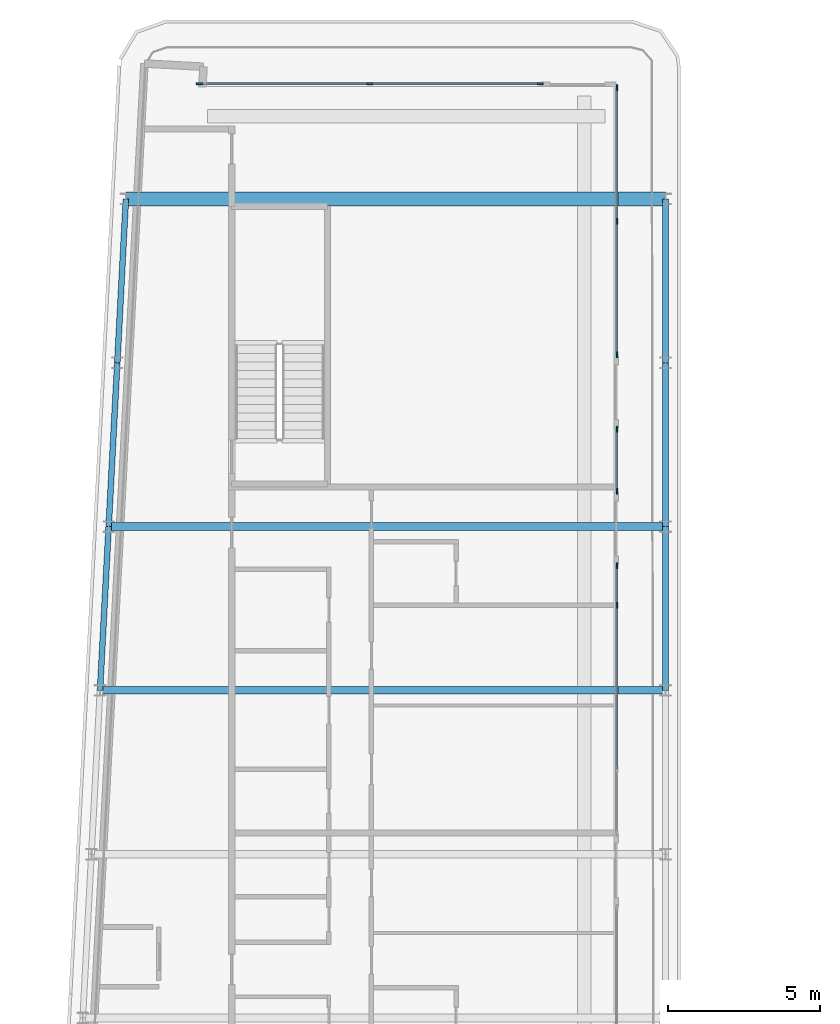
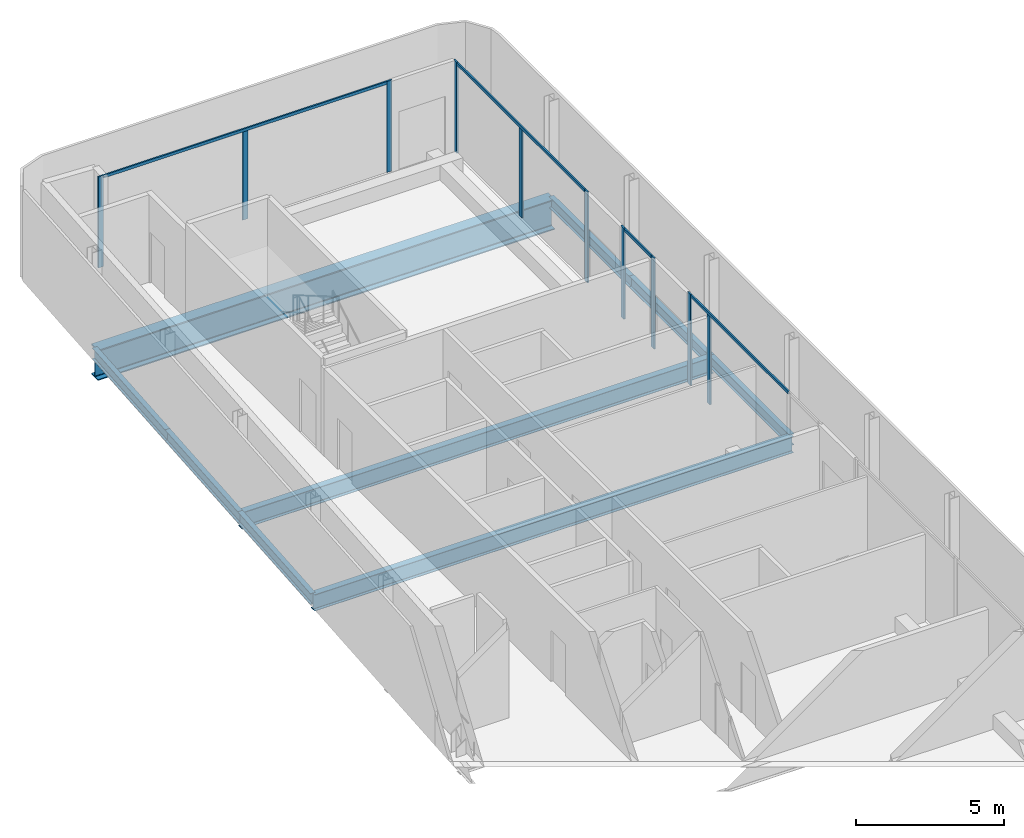
# One storey, part 6 of 19: 14 members, 9 beams, 4 elements without a shape of their own.
"""IFC4 building model written with IfcOpenShell, lengths in metres."""

import ifcopenshell
import ifcopenshell.guid

model = None  # the IFC model being written
_history = None  # IfcOwnerHistory: only IFC2X3 demands one
_inside = {}  # id of a spatial element -> (the spatial element, [elements in it])
_under = {}  # id of a project, library or spatial element -> (it, [spatial elements below it])
_declared = {}  # id of a project -> (the project, [libraries it declares])
_typed = {}  # id of a type object -> (the type object, [elements of that type])
_made_of = {}  # id of a material, layer set ... -> (it, [elements and type objects made of it])


def new_model(schema):
    """Start an empty IFC model of exactly this schema.

    Asked for "IFC4X3", IfcOpenShell would pick the latest addendum, in which some entities
    have other attributes; the version numbers below select the first issue.
    IFC2X3 requires an IfcOwnerHistory on every rooted entity: one is made here for all.
    """
    global model, _history
    if schema == "IFC4X3":
        model = ifcopenshell.file(schema_version=(4, 3, 0, 0))
    else:
        model = ifcopenshell.file(schema=schema)
    _inside.clear()
    _under.clear()
    _declared.clear()
    _typed.clear()
    _made_of.clear()
    _history = None
    if model.schema == "IFC2X3":
        org = make("IfcOrganization", Name="unknown")
        user = make(
            "IfcPersonAndOrganization",
            ThePerson=make("IfcPerson", FamilyName="unknown"),
            TheOrganization=org,
        )
        app = make(
            "IfcApplication",
            ApplicationDeveloper=org,
            Version="unknown",
            ApplicationFullName="unknown",
            ApplicationIdentifier="unknown",
        )
        _history = make(
            "IfcOwnerHistory",
            OwningUser=user,
            OwningApplication=app,
            ChangeAction="ADDED",
            CreationDate=0,
        )
    return model


def make(cls, **values):
    """One entity of the class cls with the attributes given. An attribute that is None is left unset."""
    return model.create_entity(
        cls, **{name: value for name, value in values.items() if value is not None}
    )


def rooted(cls, **values):
    """An entity with a GlobalId (a new one), such as an element, a storey or a relation."""
    return make(cls, GlobalId=ifcopenshell.guid.new(), OwnerHistory=_history, **values)


def si_unit(unit_type, name, prefix=None):
    """IfcSIUnit, for example si_unit("LENGTHUNIT", "METRE", prefix="MILLI")."""
    return make("IfcSIUnit", UnitType=unit_type, Prefix=prefix, Name=name)


def assignment(units):
    """IfcUnitAssignment: the units of a project."""
    return None if units is None else make("IfcUnitAssignment", Units=units)


def point(xyz):
    """IfcCartesianPoint."""
    return None if xyz is None else make("IfcCartesianPoint", Coordinates=xyz)


def direction(xyz):
    """IfcDirection."""
    return None if xyz is None else make("IfcDirection", DirectionRatios=xyz)


def frame(location, z_axis=None, x_axis=None):
    """IfcAxis2Placement3D, a coordinate frame: its origin and axes. An axis left out is left unset."""
    return make(
        "IfcAxis2Placement3D",
        Location=point(location),
        Axis=direction(z_axis),
        RefDirection=direction(x_axis),
    )


def frame_2d(location, x_axis=None):
    """IfcAxis2Placement2D, a coordinate frame in the plane: its origin and x axis."""
    return make(
        "IfcAxis2Placement2D", Location=point(location), RefDirection=direction(x_axis)
    )


def origin():
    """The frame at (0, 0, 0) with its axes left unset."""
    return frame((0.0, 0.0, 0.0))


def origin_2d():
    """The frame at (0, 0) in the plane with its x axis left unset."""
    return frame_2d((0.0, 0.0))


def place(relative_to, where):
    """IfcLocalPlacement: puts the frame where relative to a parent placement (None: the world)."""
    return make(
        "IfcLocalPlacement", PlacementRelTo=relative_to, RelativePlacement=where
    )


def context(
    kind, dimensions, precision=None, world=None, true_north=None, identifier=None
):
    """IfcGeometricRepresentationContext, for example the 3D "Model" context."""
    return make(
        "IfcGeometricRepresentationContext",
        ContextIdentifier=identifier,
        ContextType=kind,
        CoordinateSpaceDimension=dimensions,
        Precision=precision,
        WorldCoordinateSystem=world,
        TrueNorth=true_north,
    )


def subcontext(parent, identifier, kind, view, scale=None):
    """IfcGeometricRepresentationSubContext, for example "Body" below "Model"."""
    return make(
        "IfcGeometricRepresentationSubContext",
        ContextIdentifier=identifier,
        ContextType=kind,
        ParentContext=parent,
        TargetScale=scale,
        TargetView=view,
    )


def project(units=None, contexts=None):
    """IfcProject with its units and contexts."""
    return rooted(
        "IfcProject",
        Name="project",
        RepresentationContexts=contexts,
        UnitsInContext=assignment(units),
    )


def spatial(cls, under=None, at=None, **own):
    """A site, building, storey or space (cls), placed at a placement, below another one or the project."""
    s = rooted(cls, ObjectPlacement=at, **own)
    if under is not None:
        _under.setdefault(under.id(), (under, []))[1].append(s)
    return s


def profile(cls, at=None, kind="AREA", **sizes):
    """A parametric profile (cls). Its sizes go by their IFC names, for example OverallWidth=200.0."""
    return make(cls, ProfileType=kind, Position=at, **sizes)


def rectangle(**sizes):
    """IfcRectangleProfileDef."""
    return profile("IfcRectangleProfileDef", **sizes)


def i_section(**sizes):
    """IfcIShapeProfileDef."""
    return profile("IfcIShapeProfileDef", **sizes)


def extrude(swept, where, along, depth):
    """IfcExtrudedAreaSolid: the profile swept, set in the frame where, extruded along a direction by depth."""
    return make(
        "IfcExtrudedAreaSolid",
        SweptArea=swept,
        Position=where,
        ExtrudedDirection=direction(along),
        Depth=depth,
    )


def shape(context_of_items, identifier, shape_type, items):
    """IfcShapeRepresentation: the items that make up one representation, for example the "Body"."""
    return make(
        "IfcShapeRepresentation",
        ContextOfItems=context_of_items,
        RepresentationIdentifier=identifier,
        RepresentationType=shape_type,
        Items=items,
    )


def material(Name=None, Category=None):
    """IfcMaterial."""
    return make("IfcMaterial", Name=Name, Category=Category)


def layer(
    of_material, thickness, ventilated=None, Name=None, Category=None, Priority=None
):
    """IfcMaterialLayer: one layer of a wall or slab, of a material (None: an air gap)."""
    return make(
        "IfcMaterialLayer",
        Material=of_material,
        LayerThickness=thickness,
        IsVentilated=ventilated,
        Name=Name,
        Category=Category,
        Priority=Priority,
    )


def layer_set(layers, Name=None):
    """IfcMaterialLayerSet."""
    return make("IfcMaterialLayerSet", MaterialLayers=layers, LayerSetName=Name)


def material_profile(
    of_material, cross_section, Name=None, Category=None, Priority=None
):
    """IfcMaterialProfile: a cross section and its material."""
    return make(
        "IfcMaterialProfile",
        Name=Name,
        Material=of_material,
        Profile=cross_section,
        Priority=Priority,
        Category=Category,
    )


def profile_set(profiles, Name=None, composite=None):
    """IfcMaterialProfileSet."""
    return make(
        "IfcMaterialProfileSet",
        Name=Name,
        MaterialProfiles=profiles,
        CompositeProfile=composite,
    )


def made_of(thing, what):
    """Note that an element or type object is made of a material, layer set ...; save() writes the relation."""
    if what is not None:
        _made_of.setdefault(what.id(), (what, []))[1].append(thing)
    return thing


def type_object(cls, material=None, **own):
    """A type object (cls), such as IfcWallType, which elements share."""
    return made_of(rooted(cls, **own), material)


def element(
    cls,
    number,
    at=None,
    inside=None,
    cuts=None,
    type_object=None,
    material=None,
    context=None,
    identifier="Body",
    shape_type=None,
    held_by="IfcProductDefinitionShape",
    body=None,
    shapes=None,
    **own,
):
    """One element of the class cls, such as IfcWall. Its Tag is "e" and its number.

    at: its placement. inside: the storey or other place that contains it. cuts: it is an
    opening in that element (IfcRelVoidsElement). A single representation is given by context,
    identifier, shape_type and body (its items); several are given by shapes. held_by: the class
    of the entity that holds the representations. save() writes the other relations.
    """
    e = rooted(cls, Tag="e%d" % number, ObjectPlacement=at, **own)
    if body is not None:
        shapes = [shape(context, identifier, shape_type, body)]
    if shapes is not None:
        e.Representation = make(held_by, Representations=shapes)
    if inside is not None:
        _inside.setdefault(inside.id(), (inside, []))[1].append(e)
    if cuts is not None:
        rooted(
            "IfcRelVoidsElement", RelatingBuildingElement=cuts, RelatedOpeningElement=e
        )
    if type_object is not None:
        _typed.setdefault(type_object.id(), (type_object, []))[1].append(e)
    return made_of(e, material)


def aggregate(whole, parts):
    """IfcRelAggregates: a whole, such as a stair, and the parts it consists of."""
    return rooted("IfcRelAggregates", RelatingObject=whole, RelatedObjects=parts)


def save(model, path):
    """Write the relations noted so far, then the file.

    IfcRelAggregates (storeys below a building ...), IfcRelContainedInSpatialStructure (elements
    in a storey), IfcRelDefinesByType, IfcRelAssociatesMaterial and IfcRelDeclares: one each for
    every whole, place, type object, material and project.
    """
    for whole, parts in _under.values():
        aggregate(whole, parts)
    for where, things in _inside.values():
        rooted(
            "IfcRelContainedInSpatialStructure",
            RelatedElements=things,
            RelatingStructure=where,
        )
    for kind, things in _typed.values():
        rooted("IfcRelDefinesByType", RelatedObjects=things, RelatingType=kind)
    for what, things in _made_of.values():
        rooted("IfcRelAssociatesMaterial", RelatedObjects=things, RelatingMaterial=what)
    for by, libraries in _declared.values():
        rooted("IfcRelDeclares", RelatingContext=by, RelatedDefinitions=libraries)
    model.write(path)


model = new_model("IFC4")

# Units and contexts
model_context = context("Model", 3, precision=1e-05, world=origin(), true_north=direction((0.0, 1.0)))
body_context = subcontext(model_context, "Body", "Model", "MODEL_VIEW")
ifc_project = project(units=[si_unit("LENGTHUNIT", "METRE"), si_unit("AREAUNIT", "SQUARE_METRE"), si_unit("VOLUMEUNIT", "CUBIC_METRE"), si_unit("PLANEANGLEUNIT", "RADIAN"), si_unit("MASSUNIT", "GRAM", prefix="KILO")], contexts=[model_context])

# Site, building, storey
site_placement = place(None, origin())
site = spatial("IfcSite", under=ifc_project, at=site_placement, CompositionType="ELEMENT")
building_placement = place(site_placement, origin())
building = spatial("IfcBuilding", under=site, at=building_placement, Name="Kheshtan School and Residences Tower", CompositionType="ELEMENT")
storey_placement = place(building_placement, frame((0.0, 0.0, 350.0)))
storey = spatial("IfcBuildingStorey", under=building, at=storey_placement, Name="L82", CompositionType="ELEMENT", Elevation=350.0)

# Beams
ifc_material_1 = material(Name="Steel ASTM A992 Grade 50", Category="steel")
ifc_material_profile_1 = material_profile(ifc_material_1, i_section(OverallWidth=0.2529296875, OverallDepth=0.677978515625, WebThickness=0.01171875, FlangeThickness=0.016357421875, FilletRadius=0.0146484375, at=origin_2d()), Name="W690x125")
ifc_profile_set_1 = profile_set([ifc_material_profile_1], Name="Steel ASTM A992 Grade 50")
beam_type_1 = type_object("IfcBeamType", Name="Beam FB6 W690x125 ASTM A992 Grade 50", PredefinedType="BEAM", material=ifc_profile_set_1)
beam_1_placement = place(storey_placement, frame((47.60009765625, 78.0, -0.489013671875), z_axis=(-1.0, 0.0, 0.0), x_axis=(0.0, -1.0, 0.0)))
element("IfcBeam", 1, at=beam_1_placement, inside=storey, type_object=beam_type_1, Name="Floor beam C089", PredefinedType="BEAM", context=body_context, shape_type="SweptSolid", body=[
    extrude(i_section(OverallWidth=0.2529296875, OverallDepth=0.677978515625, WebThickness=0.01171875, FlangeThickness=0.016357421875, FilletRadius=0.0146484375, at=origin_2d()), origin(), (0.0, 0.0, 1.0), 18.357177734375),
])
beam_2_placement = place(storey_placement, frame((28.9580078125, 72.60009765625, -0.489013671875), z_axis=(1.0, 0.0, 0.0), x_axis=(0.0, 1.0, 0.0)))
element("IfcBeam", 2, at=beam_2_placement, inside=storey, type_object=beam_type_1, Name="Floor beam C086", PredefinedType="BEAM", context=body_context, shape_type="SweptSolid", body=[
    extrude(i_section(OverallWidth=0.2529296875, OverallDepth=0.677978515625, WebThickness=0.01171875, FlangeThickness=0.016357421875, FilletRadius=0.0146484375, at=origin_2d()), origin(), (0.0, 0.0, 1.0), 18.64208984375),
])
ifc_material_profile_2 = material_profile(ifc_material_1, i_section(OverallWidth=0.18994140625, OverallDepth=0.45703125, WebThickness=0.009033203125, FlangeThickness=0.014404296875, FilletRadius=0.01318359375, at=origin_2d()), Name="W460x74")
ifc_profile_set_2 = profile_set([ifc_material_profile_2], Name="Steel ASTM A992 Grade 50")
beam_type_2 = type_object("IfcBeamType", Name="Beam SP4 W460x74 ASTM A992 Grade 50", PredefinedType="BEAM", material=ifc_profile_set_2)
beam_3_placement = place(storey_placement, frame((47.60009765625, 88.800048828125, -0.37841796875), z_axis=(0.0, -1.0, 0.0), x_axis=(1.0, 0.0, 0.0)))
element("IfcBeam", 3, at=beam_3_placement, inside=storey, type_object=beam_type_2, Name="Spandrel beam C099-C091", PredefinedType="BEAM", context=body_context, shape_type="SweptSolid", body=[
    extrude(i_section(OverallWidth=0.18994140625, OverallDepth=0.45703125, WebThickness=0.009033203125, FlangeThickness=0.014404296875, FilletRadius=0.01318359375, at=origin_2d()), origin(), (0.0, 0.0, 1.0), 5.400146484375),
])
for number, where, z_axis, x_axis, name in (
    (4, (47.60009765625, 83.39990234375, -0.37841796875), (0.0, -1.0, 0.0), (1.0, 0.0, 0.0), "Spandrel beam C091-C089"),
    (5, (47.60009765625, 78.0, -0.37841796875), (0.0, -1.0, 0.0), (1.0, 0.0, 0.0), "Spandrel beam C089-C087"),
):
    element("IfcBeam", number, at=place(storey_placement, frame(where, z_axis=z_axis, x_axis=x_axis)), inside=storey, type_object=beam_type_2, Name=name, PredefinedType="BEAM", context=body_context, shape_type="SweptSolid", body=[
        extrude(i_section(OverallWidth=0.18994140625, OverallDepth=0.45703125, WebThickness=0.009033203125, FlangeThickness=0.014404296875, FilletRadius=0.01318359375, at=origin_2d()), origin(), (0.0, 0.0, 1.0), 5.39990234375),
    ])
for number, where, z_axis, x_axis, name in (
    (6, (28.9580078125, 72.60009765625, -0.37841796875), (0.052689166816, 0.998610961136, 0.0), (-0.998610961136, 0.052689166816, 0.0), "Spandrel beam C086-C088"),
    (7, (29.242919921875, 78.0, -0.37841796875), (0.052554093665, 0.998618078766, 0.0), (-0.998618078766, 0.052554093665, 0.0), "Spandrel beam C088-C090"),
):
    element("IfcBeam", number, at=place(storey_placement, frame(where, z_axis=z_axis, x_axis=x_axis)), inside=storey, type_object=beam_type_2, Name=name, PredefinedType="BEAM", context=body_context, shape_type="SweptSolid", body=[
        extrude(i_section(OverallWidth=0.18994140625, OverallDepth=0.45703125, WebThickness=0.009033203125, FlangeThickness=0.014404296875, FilletRadius=0.01318359375, at=origin_2d()), origin(), (0.0, 0.0, 1.0), 5.407470703125),
    ])
beam_4_placement = place(storey_placement, frame((29.527099609375, 83.39990234375, -0.37841796875), z_axis=(0.05250670125, 0.998620571751, 0.0), x_axis=(-0.998620571751, 0.05250670125, 0.0)))
element("IfcBeam", 8, at=beam_4_placement, inside=storey, type_object=beam_type_2, Name="Spandrel beam C090-C098", PredefinedType="BEAM", context=body_context, shape_type="SweptSolid", body=[
    extrude(i_section(OverallWidth=0.18994140625, OverallDepth=0.45703125, WebThickness=0.009033203125, FlangeThickness=0.014404296875, FilletRadius=0.01318359375, at=origin_2d()), origin(), (0.0, 0.0, 1.0), 5.40771484375),
])

# Curtain wall, members
ifc_material_2 = material(Name="Clear low-e glass in thermally broken aluminium frame", Category="aluminium")
ifc_layer = layer(ifc_material_2, 0.199951171875)
ifc_layer_set = layer_set([ifc_layer], Name="Curtain wall CW-L")
curtain_wall_type = type_object("IfcCurtainWallType", Name="Curtain wall CW-L", PredefinedType="NOTDEFINED", material=ifc_layer_set)
curtain_wall_1_placement = place(storey_placement, origin())
curtain_wall_1 = element("IfcCurtainWall", 9, at=curtain_wall_1_placement, inside=storey, type_object=curtain_wall_type, Name="Curtain wall CWL3a", PredefinedType="NOTDEFINED")
ifc_material_3 = material(Name="Thermally broken aluminium, dark bronze anodised", Category="aluminium")
ifc_material_profile_3 = material_profile(ifc_material_3, rectangle(XDim=0.06005859375, YDim=0.199951171875, at=origin_2d()), Name="CW-L mullion 60x200")
ifc_profile_set_3 = profile_set([ifc_material_profile_3], Name="Thermally broken aluminium, dark bronze anodised")
member_type_1 = type_object("IfcMemberType", Name="CW-L mullion 60x200", PredefinedType="MULLION", material=ifc_profile_set_3)
member_1_placement = place(storey_placement, frame((32.238037109375, 92.60009765625, 0.0), z_axis=(0.0, 0.0, 1.0), x_axis=(0.0, 1.0, 0.0)))
member_1 = element("IfcMember", 10, at=member_1_placement, type_object=member_type_1, Name="CWL3a mullion 1", PredefinedType="MULLION", context=body_context, shape_type="SweptSolid", body=[
    extrude(rectangle(XDim=0.06005859375, YDim=0.199951171875, at=origin_2d()), origin(), (0.0, 0.0, 1.0), 3.75),
])
member_2_placement = place(storey_placement, frame((37.85400390625, 92.60009765625, 0.0), z_axis=(0.0, 0.0, 1.0), x_axis=(0.0, 1.0, 0.0)))
member_2 = element("IfcMember", 11, at=member_2_placement, type_object=member_type_1, Name="CWL3a mullion 2", PredefinedType="MULLION", context=body_context, shape_type="SweptSolid", body=[
    extrude(rectangle(XDim=0.06005859375, YDim=0.199951171875, at=origin_2d()), origin(), (0.0, 0.0, 1.0), 3.6298828125),
])
member_3_placement = place(storey_placement, frame((43.469970703125, 92.60009765625, 0.0), z_axis=(0.0, 0.0, 1.0), x_axis=(0.0, 1.0, 0.0)))
member_3 = element("IfcMember", 12, at=member_3_placement, type_object=member_type_1, Name="CWL3a mullion 3", PredefinedType="MULLION", context=body_context, shape_type="SweptSolid", body=[
    extrude(rectangle(XDim=0.06005859375, YDim=0.199951171875, at=origin_2d()), origin(), (0.0, 0.0, 1.0), 3.75),
])

curtain_wall_2_placement = place(storey_placement, origin())
curtain_wall_2 = element("IfcCurtainWall", 13, at=curtain_wall_2_placement, inside=storey, type_object=curtain_wall_type, Name="Curtain wall CWL4b", PredefinedType="NOTDEFINED")
member_4_placement = place(storey_placement, frame((46.0, 92.469970703125, 0.0), z_axis=(0.0, 0.0, 1.0), x_axis=(1.0, 0.0, 0.0)))
member_4 = element("IfcMember", 14, at=member_4_placement, type_object=member_type_1, Name="CWL4b mullion 1", PredefinedType="MULLION", context=body_context, shape_type="SweptSolid", body=[
    extrude(rectangle(XDim=0.06005859375, YDim=0.199951171875, at=origin_2d()), origin(), (0.0, 0.0, 1.0), 3.75),
])
member_5_placement = place(storey_placement, frame((46.0, 88.066162109375, 0.0), z_axis=(0.0, 0.0, 1.0), x_axis=(1.0, 0.0, 0.0)))
member_5 = element("IfcMember", 15, at=member_5_placement, type_object=member_type_1, Name="CWL4b mullion 2", PredefinedType="MULLION", context=body_context, shape_type="SweptSolid", body=[
    extrude(rectangle(XDim=0.06005859375, YDim=0.199951171875, at=origin_2d()), origin(), (0.0, 0.0, 1.0), 3.6298828125),
])
member_6_placement = place(storey_placement, frame((46.0, 83.66259765625, 0.0), z_axis=(0.0, 0.0, 1.0), x_axis=(1.0, 0.0, 0.0)))
member_6 = element("IfcMember", 16, at=member_6_placement, type_object=member_type_1, Name="CWL4b mullion 3", PredefinedType="MULLION", context=body_context, shape_type="SweptSolid", body=[
    extrude(rectangle(XDim=0.06005859375, YDim=0.199951171875, at=origin_2d()), origin(), (0.0, 0.0, 1.0), 3.75),
])

curtain_wall_3_placement = place(storey_placement, origin())
curtain_wall_3 = element("IfcCurtainWall", 17, at=curtain_wall_3_placement, inside=storey, type_object=curtain_wall_type, Name="Curtain wall CWL4c", PredefinedType="NOTDEFINED")
member_7_placement = place(storey_placement, frame((46.0, 81.202392578125, 0.0), z_axis=(0.0, 0.0, 1.0), x_axis=(1.0, 0.0, 0.0)))
member_7 = element("IfcMember", 18, at=member_7_placement, type_object=member_type_1, Name="CWL4c mullion 1", PredefinedType="MULLION", context=body_context, shape_type="SweptSolid", body=[
    extrude(rectangle(XDim=0.06005859375, YDim=0.199951171875, at=origin_2d()), origin(), (0.0, 0.0, 1.0), 3.75),
])
member_8_placement = place(storey_placement, frame((46.0, 79.16259765625, 0.0), z_axis=(0.0, 0.0, 1.0), x_axis=(1.0, 0.0, 0.0)))
member_8 = element("IfcMember", 19, at=member_8_placement, type_object=member_type_1, Name="CWL4c mullion 2", PredefinedType="MULLION", context=body_context, shape_type="SweptSolid", body=[
    extrude(rectangle(XDim=0.06005859375, YDim=0.199951171875, at=origin_2d()), origin(), (0.0, 0.0, 1.0), 3.75),
])

curtain_wall_4_placement = place(storey_placement, origin())
curtain_wall_4 = element("IfcCurtainWall", 20, at=curtain_wall_4_placement, inside=storey, type_object=curtain_wall_type, Name="Curtain wall CWL4l", PredefinedType="NOTDEFINED")
member_9_placement = place(storey_placement, frame((46.0, 76.702392578125, 0.0), z_axis=(0.0, 0.0, 1.0), x_axis=(1.0, 0.0, 0.0)))
member_9 = element("IfcMember", 21, at=member_9_placement, type_object=member_type_1, Name="CWL4l mullion 1", PredefinedType="MULLION", context=body_context, shape_type="SweptSolid", body=[
    extrude(rectangle(XDim=0.06005859375, YDim=0.199951171875, at=origin_2d()), origin(), (0.0, 0.0, 1.0), 3.75),
])
member_10_placement = place(storey_placement, frame((46.0, 75.39990234375, 0.0), z_axis=(0.0, 0.0, 1.0), x_axis=(1.0, 0.0, 0.0)))
member_10 = element("IfcMember", 22, at=member_10_placement, type_object=member_type_1, Name="CWL4l mullion 2", PredefinedType="MULLION", context=body_context, shape_type="SweptSolid", body=[
    extrude(rectangle(XDim=0.06005859375, YDim=0.199951171875, at=origin_2d()), origin(), (0.0, 0.0, 1.0), 3.6298828125),
])

# Member
ifc_material_profile_4 = material_profile(ifc_material_3, rectangle(XDim=0.06005859375, YDim=0.1201171875, at=origin_2d()), Name="CW-L transom 60x120")
ifc_profile_set_4 = profile_set([ifc_material_profile_4], Name="Thermally broken aluminium, dark bronze anodised")
member_type_2 = type_object("IfcMemberType", Name="CW-L transom 60x120", PredefinedType="USERDEFINED", material=ifc_profile_set_4)
member_11_placement = place(storey_placement, frame((32.26806640625, 92.60009765625, 3.68994140625), z_axis=(1.0, 0.0, 0.0), x_axis=(0.0, 1.0, 0.0)))
member_11 = element("IfcMember", 23, at=member_11_placement, type_object=member_type_2, Name="CWL3a transom 1", ObjectType="TRANSOM", PredefinedType="USERDEFINED", context=body_context, shape_type="SweptSolid", body=[
    extrude(rectangle(XDim=0.06005859375, YDim=0.1201171875, at=origin_2d()), origin(), (0.0, 0.0, 1.0), 11.171875),
])

aggregate(curtain_wall_1, [member_1, member_2, member_3, member_11])

member_12_placement = place(storey_placement, frame((46.0, 92.43994140625, 3.68994140625), z_axis=(0.0, -1.0, 0.0), x_axis=(1.0, 0.0, 0.0)))
member_12 = element("IfcMember", 24, at=member_12_placement, type_object=member_type_2, Name="CWL4b transom 1", ObjectType="TRANSOM", PredefinedType="USERDEFINED", context=body_context, shape_type="SweptSolid", body=[
    extrude(rectangle(XDim=0.06005859375, YDim=0.1201171875, at=origin_2d()), origin(), (0.0, 0.0, 1.0), 8.74755859375),
])

aggregate(curtain_wall_2, [member_4, member_5, member_6, member_12])

member_13_placement = place(storey_placement, frame((46.0, 81.172607421875, 3.68994140625), z_axis=(0.0, -1.0, 0.0), x_axis=(1.0, 0.0, 0.0)))
member_13 = element("IfcMember", 25, at=member_13_placement, type_object=member_type_2, Name="CWL4c transom 1", ObjectType="TRANSOM", PredefinedType="USERDEFINED", context=body_context, shape_type="SweptSolid", body=[
    extrude(rectangle(XDim=0.06005859375, YDim=0.1201171875, at=origin_2d()), origin(), (0.0, 0.0, 1.0), 1.980224609375),
])

aggregate(curtain_wall_3, [member_7, member_8, member_13])

member_14_placement = place(storey_placement, frame((46.0, 76.672607421875, 3.68994140625), z_axis=(0.0, -1.0, 0.0), x_axis=(1.0, 0.0, 0.0)))
member_14 = element("IfcMember", 26, at=member_14_placement, type_object=member_type_2, Name="CWL4l transom 1", ObjectType="TRANSOM", PredefinedType="USERDEFINED", context=body_context, shape_type="SweptSolid", body=[
    extrude(rectangle(XDim=0.06005859375, YDim=0.1201171875, at=origin_2d()), origin(), (0.0, 0.0, 1.0), 6.647705078125),
])

aggregate(curtain_wall_4, [member_9, member_10, member_14])

# Beam
ifc_material_profile_5 = material_profile(ifc_material_1, i_section(OverallWidth=0.449951171875, OverallDepth=1.25, WebThickness=0.02490234375, FlangeThickness=0.044921875, FilletRadius=0.03759765625, at=origin_2d()), Name="WWF1250x546")
ifc_profile_set_5 = profile_set([ifc_material_profile_5], Name="Steel ASTM A992 Grade 50")
beam_type_3 = type_object("IfcBeamType", Name="Transfer girder TG4 WWF1250x546 ASTM A992 Grade 50", PredefinedType="BEAM", material=ifc_profile_set_5)
beam_5_placement = place(storey_placement, frame((29.81103515625, 88.800048828125, -0.77490234375), z_axis=(1.0, 0.0, 0.0), x_axis=(0.0, 1.0, 0.0)))
element("IfcBeam", 27, at=beam_5_placement, inside=storey, type_object=beam_type_3, Name="Transfer girder C098-C099", PredefinedType="BEAM", context=body_context, shape_type="SweptSolid", body=[
    extrude(i_section(OverallWidth=0.449951171875, OverallDepth=1.25, WebThickness=0.02490234375, FlangeThickness=0.044921875, FilletRadius=0.03759765625, at=origin_2d()), origin(), (0.0, 0.0, 1.0), 17.7890625),
])

save(model, "model.ifc")
